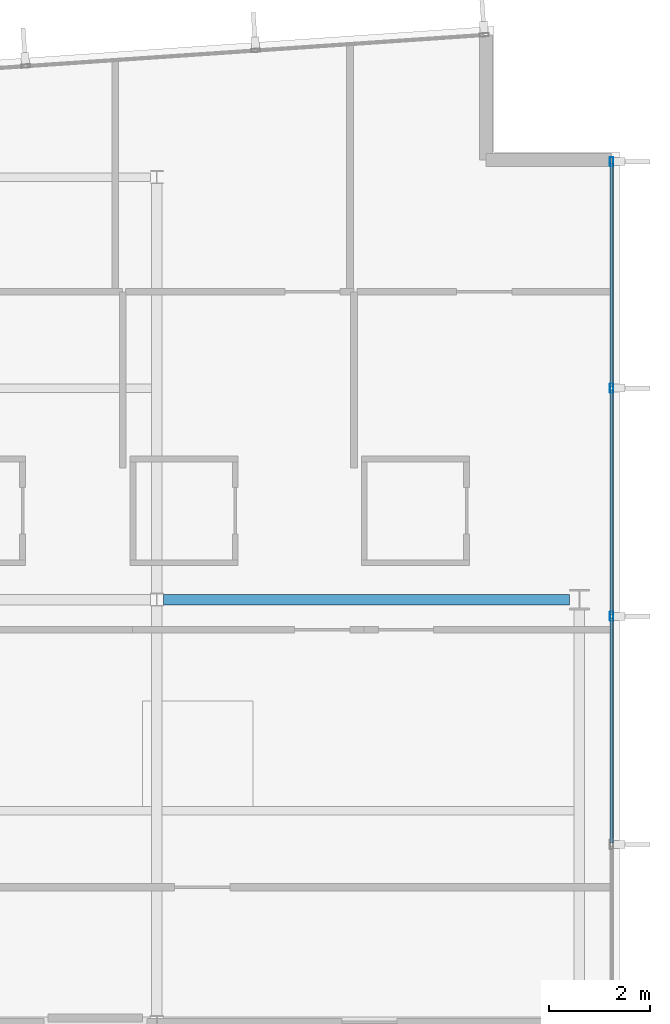
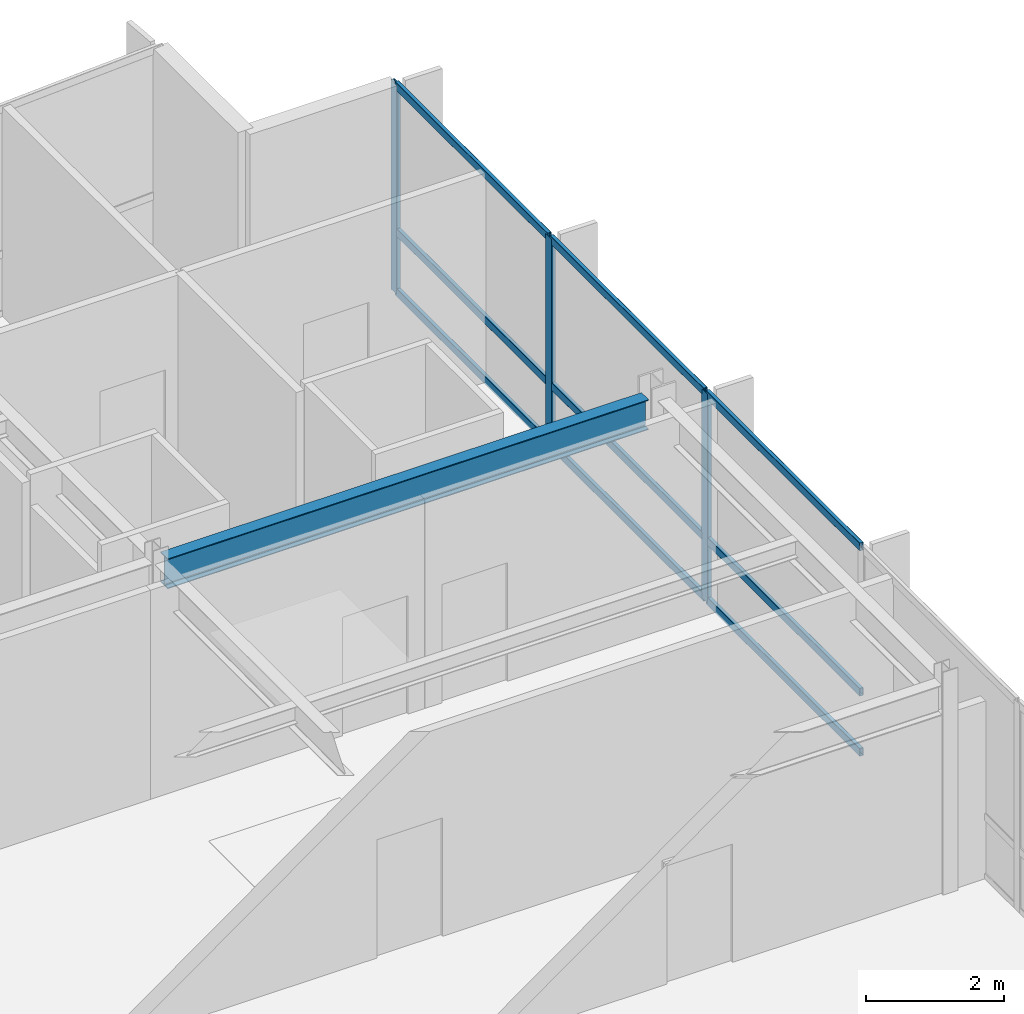
# One storey, part 7 of 16: 12 members, 1 beam, 1 element without a shape of its own.
"""IFC4 building model written with IfcOpenShell, lengths in metres."""

from ifc_helpers import new_model, si_unit, direction, frame, origin, origin_2d, place, context, subcontext, project, spatial, hollow_rectangle, i_section, extrude, material, layer, layer_set, material_profile, profile_set, type_object, element, aggregate, save


model = new_model("IFC4")

# Units and contexts
model_context = context("Model", 3, precision=1e-05, world=origin(), true_north=direction((0.0, 1.0)))
body_context = subcontext(model_context, "Body", "Model", "MODEL_VIEW")
ifc_project = project(units=[si_unit("LENGTHUNIT", "METRE"), si_unit("AREAUNIT", "SQUARE_METRE"), si_unit("VOLUMEUNIT", "CUBIC_METRE"), si_unit("PLANEANGLEUNIT", "RADIAN"), si_unit("MASSUNIT", "GRAM", prefix="KILO")], contexts=[model_context])

# Site, building, storey
site_placement = place(None, origin())
site = spatial("IfcSite", under=ifc_project, at=site_placement, CompositionType="ELEMENT")
building_placement = place(site_placement, origin())
building = spatial("IfcBuilding", under=site, at=building_placement, Name="Varnakote Quay Hospital", CompositionType="ELEMENT")
storey_placement = place(building_placement, frame((0.0, 0.0, 223.699951171875)))
storey = spatial("IfcBuildingStorey", under=building, at=storey_placement, Name="L55", CompositionType="ELEMENT", Elevation=223.699951171875)

# Beam
ifc_material_1 = material(Name="Structural steel AS/NZS 3679.1 Grade 350 L0 (fy 340 MPa)", Category="steel")
ifc_material_profile_1 = material_profile(ifc_material_1, i_section(OverallWidth=0.208984375, OverallDepth=0.532958984375, WebThickness=0.01025390625, FlangeThickness=0.015625, FilletRadius=0.013916015625, at=origin_2d()), Name="530UB92.4")
ifc_profile_set_1 = profile_set([ifc_material_profile_1], Name="Structural steel AS/NZS 3679.1 Grade 350 L0 (fy 340 MPa)")
beam_type = type_object("IfcBeamType", Name="BM-STL-530UB92-4", PredefinedType="BEAM", material=ifc_profile_set_1)
beam_placement = place(storey_placement, frame((42.1279296875, 20.39990234375, 3.443603515625), z_axis=(1.0, 0.0, 0.0), x_axis=(0.0, 1.0, 0.0)))
element("IfcBeam", 1, at=beam_placement, inside=storey, type_object=beam_type, Name="L55 Primary Floor Beam", PredefinedType="BEAM", context=body_context, shape_type="SweptSolid", body=[
    extrude(i_section(OverallWidth=0.208984375, OverallDepth=0.532958984375, WebThickness=0.01025390625, FlangeThickness=0.015625, FilletRadius=0.013916015625, at=origin_2d()), origin(), (0.0, 0.0, 1.0), 8.072021484375),
])

# Curtain wall, members
ifc_material_2 = material(Name="Anodised aluminium 6063-T6 Bronze", Category="aluminium")
ifc_layer = layer(ifc_material_2, 0.219970703125)
ifc_layer_set = layer_set([ifc_layer], Name="Anodised aluminium 6063-T6 Bronze")
curtain_wall_type = type_object("IfcCurtainWallType", Name="CW-SYS-4", PredefinedType="NOTDEFINED", material=ifc_layer_set)
curtain_wall_placement = place(storey_placement, origin())
curtain_wall = element("IfcCurtainWall", 2, at=curtain_wall_placement, inside=storey, type_object=curtain_wall_type, Name="L55 Unitised Bronze Curtain Wall 1", PredefinedType="NOTDEFINED")
ifc_material_3 = material(Name="Anodised aluminium 6063-T6 Bronze", Category="aluminium")
ifc_material_profile_2 = material_profile(ifc_material_3, hollow_rectangle(XDim=0.06494140625, YDim=0.179931640625, WallThickness=0.00390625, InnerFilletRadius=0.00390625, OuterFilletRadius=0.008056640625, at=origin_2d()), Name="CW-MULL-180x65")
ifc_profile_set_2 = profile_set([ifc_material_profile_2], Name="Anodised aluminium 6063-T6 Bronze")
member_type_1 = type_object("IfcMemberType", Name="CW-MULL-180x65", PredefinedType="MULLION", material=ifc_profile_set_2)
member_1_placement = place(storey_placement, frame((51.0400390625, 20.068115234375, 0.0), z_axis=(0.0, 0.0, 1.0), x_axis=(-1.0, 0.0, 0.0)))
member_1 = element("IfcMember", 3, at=member_1_placement, type_object=member_type_1, Name="-4-L55-1 mullion 4", PredefinedType="MULLION", context=body_context, shape_type="SweptSolid", body=[
    extrude(hollow_rectangle(XDim=0.06494140625, YDim=0.179931640625, WallThickness=0.00390625, InnerFilletRadius=0.00390625, OuterFilletRadius=0.008056640625, at=origin_2d()), origin(), (0.0, 0.0, 1.0), 3.7099609375),
])
member_2_placement = place(storey_placement, frame((51.0400390625, 24.60400390625, 0.0), z_axis=(0.0, 0.0, 1.0), x_axis=(-1.0, 0.0, 0.0)))
member_2 = element("IfcMember", 4, at=member_2_placement, type_object=member_type_1, Name="-4-L55-1 mullion 5", PredefinedType="MULLION", context=body_context, shape_type="SweptSolid", body=[
    extrude(hollow_rectangle(XDim=0.06494140625, YDim=0.179931640625, WallThickness=0.00390625, InnerFilletRadius=0.00390625, OuterFilletRadius=0.008056640625, at=origin_2d()), origin(), (0.0, 0.0, 1.0), 3.7099609375),
])
member_3_placement = place(storey_placement, frame((51.0400390625, 29.107421875, 0.0), z_axis=(0.0, 0.0, 1.0), x_axis=(-1.0, 0.0, 0.0)))
member_3 = element("IfcMember", 5, at=member_3_placement, type_object=member_type_1, Name="-4-L55-1 mullion 6", PredefinedType="MULLION", context=body_context, shape_type="SweptSolid", body=[
    extrude(hollow_rectangle(XDim=0.06494140625, YDim=0.179931640625, WallThickness=0.00390625, InnerFilletRadius=0.00390625, OuterFilletRadius=0.008056640625, at=origin_2d()), origin(), (0.0, 0.0, 1.0), 3.7099609375),
])
ifc_material_4 = material(Name="Anodised aluminium 6063-T6 Bronze", Category="aluminium")
ifc_material_profile_3 = material_profile(ifc_material_4, hollow_rectangle(XDim=0.06494140625, YDim=0.139892578125, WallThickness=0.00390625, InnerFilletRadius=0.00390625, OuterFilletRadius=0.007568359375, at=origin_2d()), Name="CW-TRAN-140x65")
ifc_profile_set_3 = profile_set([ifc_material_profile_3], Name="Anodised aluminium 6063-T6 Bronze")
member_type_2 = type_object("IfcMemberType", Name="CW-TRAN-140x65", PredefinedType="USERDEFINED", material=ifc_profile_set_3)
member_4_placement = place(storey_placement, frame((51.0400390625, 15.564453125, 0.032470703125), z_axis=(0.0, 1.0, 0.0), x_axis=(-1.0, 0.0, 0.0)))
member_4 = element("IfcMember", 6, at=member_4_placement, type_object=member_type_2, Name="-4-L55-1 transom 3.1", ObjectType="TRANSOM", PredefinedType="USERDEFINED", context=body_context, shape_type="SweptSolid", body=[
    extrude(hollow_rectangle(XDim=0.06494140625, YDim=0.139892578125, WallThickness=0.00390625, InnerFilletRadius=0.00390625, OuterFilletRadius=0.007568359375, at=origin_2d()), origin(), (0.0, 0.0, 1.0), 4.470947265625),
])
member_5_placement = place(storey_placement, frame((51.0400390625, 15.564453125, 1.10009765625), z_axis=(0.0, 1.0, 0.0), x_axis=(-1.0, 0.0, 0.0)))
member_5 = element("IfcMember", 7, at=member_5_placement, type_object=member_type_2, Name="-4-L55-1 transom 3.2", ObjectType="TRANSOM", PredefinedType="USERDEFINED", context=body_context, shape_type="SweptSolid", body=[
    extrude(hollow_rectangle(XDim=0.06494140625, YDim=0.139892578125, WallThickness=0.00390625, InnerFilletRadius=0.00390625, OuterFilletRadius=0.007568359375, at=origin_2d()), origin(), (0.0, 0.0, 1.0), 4.470947265625),
])
member_6_placement = place(storey_placement, frame((51.0400390625, 15.564453125, 3.677490234375), z_axis=(0.0, 1.0, 0.0), x_axis=(-1.0, 0.0, 0.0)))
member_6 = element("IfcMember", 8, at=member_6_placement, type_object=member_type_2, Name="-4-L55-1 transom 3.3", ObjectType="TRANSOM", PredefinedType="USERDEFINED", context=body_context, shape_type="SweptSolid", body=[
    extrude(hollow_rectangle(XDim=0.06494140625, YDim=0.139892578125, WallThickness=0.00390625, InnerFilletRadius=0.00390625, OuterFilletRadius=0.007568359375, at=origin_2d()), origin(), (0.0, 0.0, 1.0), 4.470947265625),
])
member_7_placement = place(storey_placement, frame((51.0400390625, 20.1005859375, 0.032470703125), z_axis=(0.0, 1.0, 0.0), x_axis=(-1.0, 0.0, 0.0)))
member_7 = element("IfcMember", 9, at=member_7_placement, type_object=member_type_2, Name="-4-L55-1 transom 4.1", ObjectType="TRANSOM", PredefinedType="USERDEFINED", context=body_context, shape_type="SweptSolid", body=[
    extrude(hollow_rectangle(XDim=0.06494140625, YDim=0.139892578125, WallThickness=0.00390625, InnerFilletRadius=0.00390625, OuterFilletRadius=0.007568359375, at=origin_2d()), origin(), (0.0, 0.0, 1.0), 4.470947265625),
])
member_8_placement = place(storey_placement, frame((51.0400390625, 20.1005859375, 1.10009765625), z_axis=(0.0, 1.0, 0.0), x_axis=(-1.0, 0.0, 0.0)))
member_8 = element("IfcMember", 10, at=member_8_placement, type_object=member_type_2, Name="-4-L55-1 transom 4.2", ObjectType="TRANSOM", PredefinedType="USERDEFINED", context=body_context, shape_type="SweptSolid", body=[
    extrude(hollow_rectangle(XDim=0.06494140625, YDim=0.139892578125, WallThickness=0.00390625, InnerFilletRadius=0.00390625, OuterFilletRadius=0.007568359375, at=origin_2d()), origin(), (0.0, 0.0, 1.0), 4.470947265625),
])
member_9_placement = place(storey_placement, frame((51.0400390625, 20.1005859375, 3.677490234375), z_axis=(0.0, 1.0, 0.0), x_axis=(-1.0, 0.0, 0.0)))
member_9 = element("IfcMember", 11, at=member_9_placement, type_object=member_type_2, Name="-4-L55-1 transom 4.3", ObjectType="TRANSOM", PredefinedType="USERDEFINED", context=body_context, shape_type="SweptSolid", body=[
    extrude(hollow_rectangle(XDim=0.06494140625, YDim=0.139892578125, WallThickness=0.00390625, InnerFilletRadius=0.00390625, OuterFilletRadius=0.007568359375, at=origin_2d()), origin(), (0.0, 0.0, 1.0), 4.470947265625),
])
member_10_placement = place(storey_placement, frame((51.0400390625, 24.636474609375, 0.032470703125), z_axis=(0.0, 1.0, 0.0), x_axis=(-1.0, 0.0, 0.0)))
member_10 = element("IfcMember", 12, at=member_10_placement, type_object=member_type_2, Name="-4-L55-1 transom 5.1", ObjectType="TRANSOM", PredefinedType="USERDEFINED", context=body_context, shape_type="SweptSolid", body=[
    extrude(hollow_rectangle(XDim=0.06494140625, YDim=0.139892578125, WallThickness=0.00390625, InnerFilletRadius=0.00390625, OuterFilletRadius=0.007568359375, at=origin_2d()), origin(), (0.0, 0.0, 1.0), 4.4384765625),
])
member_11_placement = place(storey_placement, frame((51.0400390625, 24.636474609375, 1.10009765625), z_axis=(0.0, 1.0, 0.0), x_axis=(-1.0, 0.0, 0.0)))
member_11 = element("IfcMember", 13, at=member_11_placement, type_object=member_type_2, Name="-4-L55-1 transom 5.2", ObjectType="TRANSOM", PredefinedType="USERDEFINED", context=body_context, shape_type="SweptSolid", body=[
    extrude(hollow_rectangle(XDim=0.06494140625, YDim=0.139892578125, WallThickness=0.00390625, InnerFilletRadius=0.00390625, OuterFilletRadius=0.007568359375, at=origin_2d()), origin(), (0.0, 0.0, 1.0), 4.4384765625),
])
member_12_placement = place(storey_placement, frame((51.0400390625, 24.636474609375, 3.677490234375), z_axis=(0.0, 1.0, 0.0), x_axis=(-1.0, 0.0, 0.0)))
member_12 = element("IfcMember", 14, at=member_12_placement, type_object=member_type_2, Name="-4-L55-1 transom 5.3", ObjectType="TRANSOM", PredefinedType="USERDEFINED", context=body_context, shape_type="SweptSolid", body=[
    extrude(hollow_rectangle(XDim=0.06494140625, YDim=0.139892578125, WallThickness=0.00390625, InnerFilletRadius=0.00390625, OuterFilletRadius=0.007568359375, at=origin_2d()), origin(), (0.0, 0.0, 1.0), 4.4384765625),
])
aggregate(curtain_wall, [member_1, member_2, member_3, member_4, member_5, member_6, member_7, member_8, member_9, member_10, member_11, member_12])

save(model, "model.ifc")
